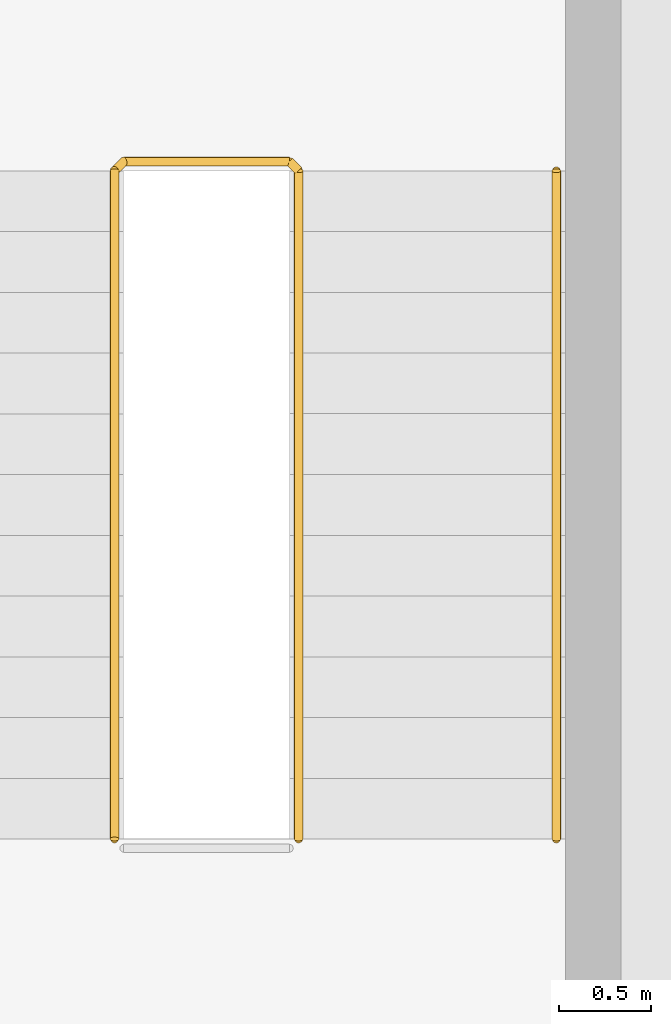
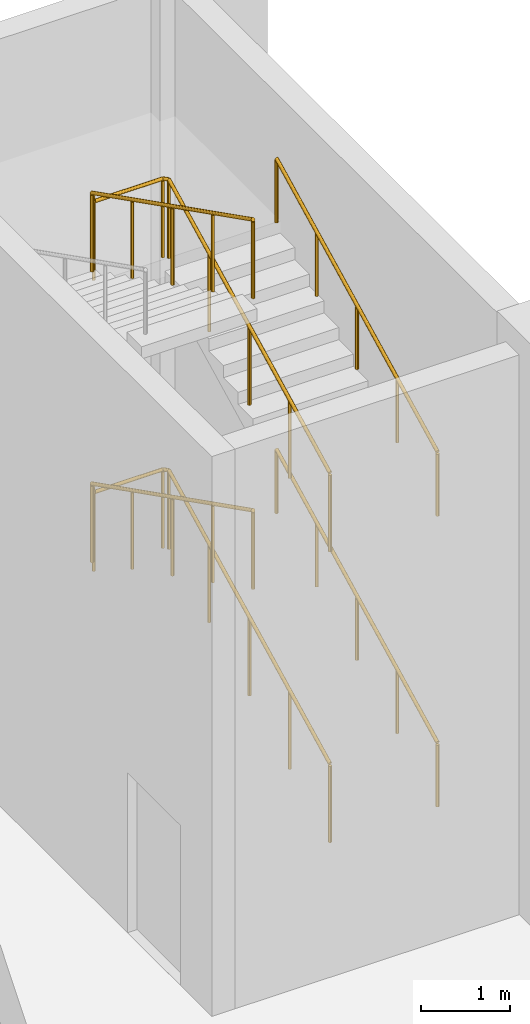
# One storey, part 19 of 19: 4 railings.
"""IFC4 building model written with IfcOpenShell, lengths in metres."""

from ifc_helpers import new_model, si_unit, direction, frame, origin, origin_2d, place, context, subcontext, project, spatial, circle, extrude, material, type_object, element, save


model = new_model("IFC4")

# Units and contexts
model_context = context("Model", 3, precision=1e-05, world=origin(), true_north=direction((0.0, 1.0)))
body_context = subcontext(model_context, "Body", "Model", "MODEL_VIEW")
ifc_project = project(units=[si_unit("LENGTHUNIT", "METRE"), si_unit("AREAUNIT", "SQUARE_METRE"), si_unit("VOLUMEUNIT", "CUBIC_METRE"), si_unit("PLANEANGLEUNIT", "RADIAN"), si_unit("MASSUNIT", "GRAM", prefix="KILO")], contexts=[model_context])

# Site, building, storey
site_placement = place(None, origin())
site = spatial("IfcSite", under=ifc_project, at=site_placement, CompositionType="ELEMENT")
building_placement = place(site_placement, origin())
building = spatial("IfcBuilding", under=site, at=building_placement, Name="Brondeck Convention Tower", CompositionType="ELEMENT")
storey_placement = place(building_placement, frame((0.0, 0.0, 19.5)))
storey = spatial("IfcBuildingStorey", under=building, at=storey_placement, Name="L03", CompositionType="ELEMENT", Elevation=19.5)

# Railings
ifc_material = material(Name="Steel S355", Category="steel")
railing_type_1 = type_object("IfcRailingType", Name="Stair guard 1100", PredefinedType="GUARDRAIL", material=ifc_material)
railing_1_placement = place(storey_placement, frame((70.050048828125, 51.800048828125, 0.166748046875)))
element("IfcRailing", 1, at=railing_1_placement, inside=storey, type_object=railing_type_1, Name="L03 PS-1 stair guard 1", PredefinedType="GUARDRAIL", context=body_context, shape_type="SweptSolid", body=[
    extrude(circle(Radius=0.02392578125, at=origin_2d()), frame((0.0, 0.0, 1.076171875), z_axis=(0.0, 0.892618850087, 0.450812143214), x_axis=(-1.0, 0.0, 0.0)), (0.0, 0.0, 1.0), 4.066650390625),
    extrude(circle(Radius=0.02392578125, at=origin_2d()), frame((0.0, 3.6298828125, 2.9091796875), z_axis=(-0.707106781187, 0.707106781187, 0.0), x_axis=(-0.707106781187, -0.707106781187, 0.0)), (0.0, 0.0, 1.0), 0.07080078125),
    extrude(circle(Radius=0.02392578125, at=origin_2d()), frame((-0.050048828125, 3.679931640625, 2.9091796875), z_axis=(-1.0, 0.0, 0.0), x_axis=(0.0, -1.0, 0.0)), (0.0, 0.0, 1.0), 0.89990234375),
    extrude(circle(Radius=0.02392578125, at=origin_2d()), frame((-0.949951171875, 3.679931640625, 2.9091796875), z_axis=(-0.27628659633, -0.27628659633, 0.920506074601), x_axis=(0.707106781187, -0.707106781187, 0.0)), (0.0, 0.0, 1.0), 0.18115234375),
    extrude(circle(Radius=0.02392578125, at=origin_2d()), frame((-1.0, 3.6298828125, 3.076171875), z_axis=(0.0, -0.892618850087, 0.450812143214), x_axis=(1.0, 0.0, 0.0)), (0.0, 0.0, 1.0), 4.066650390625),
    extrude(circle(Radius=0.02099609375, at=origin_2d()), origin(), (0.0, 0.0, 1.0), 1.052001953125),
    extrude(circle(Radius=0.02099609375, at=origin_2d()), frame((0.0, 0.907470703125, 0.458251953125)), (0.0, 0.0, 1.0), 1.052001953125),
    extrude(circle(Radius=0.02099609375, at=origin_2d()), frame((0.0, 1.81494140625, 0.91650390625)), (0.0, 0.0, 1.0), 1.052001953125),
    extrude(circle(Radius=0.02099609375, at=origin_2d()), frame((0.0, 2.722412109375, 1.375)), (0.0, 0.0, 1.0), 1.052001953125),
    extrude(circle(Radius=0.02099609375, at=origin_2d()), frame((0.0, 3.6298828125, 1.833251953125)), (0.0, 0.0, 1.0), 1.052001953125),
    extrude(circle(Radius=0.02099609375, at=origin_2d()), frame((-0.050048828125, 3.679931640625, 1.833251953125)), (0.0, 0.0, 1.0), 1.052001953125),
    extrude(circle(Radius=0.02099609375, at=origin_2d()), frame((-0.949951171875, 3.679931640625, 1.833251953125)), (0.0, 0.0, 1.0), 1.052001953125),
    extrude(circle(Radius=0.02099609375, at=origin_2d()), frame((-1.0, 3.6298828125, 2.0)), (0.0, 0.0, 1.0), 1.052001953125),
    extrude(circle(Radius=0.02099609375, at=origin_2d()), frame((-1.0, 2.722412109375, 2.458251953125)), (0.0, 0.0, 1.0), 1.052001953125),
    extrude(circle(Radius=0.02099609375, at=origin_2d()), frame((-1.0, 1.81494140625, 2.91650390625)), (0.0, 0.0, 1.0), 1.052001953125),
    extrude(circle(Radius=0.02099609375, at=origin_2d()), frame((-1.0, 0.907470703125, 3.375)), (0.0, 0.0, 1.0), 1.052001953125),
    extrude(circle(Radius=0.02099609375, at=origin_2d()), frame((-1.0, 0.0, 3.833251953125)), (0.0, 0.0, 1.0), 1.052001953125),
])
railing_2_placement = place(storey_placement, frame((70.050048828125, 51.800048828125, 4.166748046875)))
element("IfcRailing", 2, at=railing_2_placement, inside=storey, type_object=railing_type_1, Name="L03 PS-1 stair guard 3", PredefinedType="GUARDRAIL", context=body_context, shape_type="SweptSolid", body=[
    extrude(circle(Radius=0.02392578125, at=origin_2d()), frame((0.0, 0.0, 1.076171875), z_axis=(0.0, 0.892618850087, 0.450812143214), x_axis=(-1.0, 0.0, 0.0)), (0.0, 0.0, 1.0), 4.066650390625),
    extrude(circle(Radius=0.02392578125, at=origin_2d()), frame((0.0, 3.6298828125, 2.9091796875), z_axis=(-0.707106781187, 0.707106781187, 0.0), x_axis=(-0.707106781187, -0.707106781187, 0.0)), (0.0, 0.0, 1.0), 0.07080078125),
    extrude(circle(Radius=0.02392578125, at=origin_2d()), frame((-0.050048828125, 3.679931640625, 2.9091796875), z_axis=(-1.0, 0.0, 0.0), x_axis=(0.0, -1.0, 0.0)), (0.0, 0.0, 1.0), 0.89990234375),
    extrude(circle(Radius=0.02392578125, at=origin_2d()), frame((-0.949951171875, 3.679931640625, 2.9091796875), z_axis=(-0.27628659633, -0.27628659633, 0.920506074601), x_axis=(0.707106781187, -0.707106781187, 0.0)), (0.0, 0.0, 1.0), 0.18115234375),
    extrude(circle(Radius=0.02392578125, at=origin_2d()), frame((-1.0, 3.6298828125, 3.076171875), z_axis=(0.0, -0.892618850087, 0.450812143214), x_axis=(1.0, 0.0, 0.0)), (0.0, 0.0, 1.0), 4.066650390625),
    extrude(circle(Radius=0.02099609375, at=origin_2d()), origin(), (0.0, 0.0, 1.0), 1.052001953125),
    extrude(circle(Radius=0.02099609375, at=origin_2d()), frame((0.0, 0.907470703125, 0.458251953125)), (0.0, 0.0, 1.0), 1.052001953125),
    extrude(circle(Radius=0.02099609375, at=origin_2d()), frame((0.0, 1.81494140625, 0.91650390625)), (0.0, 0.0, 1.0), 1.052001953125),
    extrude(circle(Radius=0.02099609375, at=origin_2d()), frame((0.0, 2.722412109375, 1.375)), (0.0, 0.0, 1.0), 1.052001953125),
    extrude(circle(Radius=0.02099609375, at=origin_2d()), frame((0.0, 3.6298828125, 1.833251953125)), (0.0, 0.0, 1.0), 1.052001953125),
    extrude(circle(Radius=0.02099609375, at=origin_2d()), frame((-0.050048828125, 3.679931640625, 1.833251953125)), (0.0, 0.0, 1.0), 1.052001953125),
    extrude(circle(Radius=0.02099609375, at=origin_2d()), frame((-0.949951171875, 3.679931640625, 1.833251953125)), (0.0, 0.0, 1.0), 1.052001953125),
    extrude(circle(Radius=0.02099609375, at=origin_2d()), frame((-1.0, 3.6298828125, 2.0)), (0.0, 0.0, 1.0), 1.052001953125),
    extrude(circle(Radius=0.02099609375, at=origin_2d()), frame((-1.0, 2.722412109375, 2.458251953125)), (0.0, 0.0, 1.0), 1.052001953125),
    extrude(circle(Radius=0.02099609375, at=origin_2d()), frame((-1.0, 1.81494140625, 2.91650390625)), (0.0, 0.0, 1.0), 1.052001953125),
    extrude(circle(Radius=0.02099609375, at=origin_2d()), frame((-1.0, 0.907470703125, 3.375)), (0.0, 0.0, 1.0), 1.052001953125),
    extrude(circle(Radius=0.02099609375, at=origin_2d()), frame((-1.0, 0.0, 3.833251953125)), (0.0, 0.0, 1.0), 1.052001953125),
])
railing_type_2 = type_object("IfcRailingType", Name="Stair handrail", PredefinedType="HANDRAIL", material=ifc_material)
for number, where, name in (
    (3, (71.449951171875, 51.800048828125, 0.166748046875), "L03 PS-1 stair handrail 1"),
    (4, (71.449951171875, 51.800048828125, 4.166748046875), "L03 PS-1 stair handrail 3"),
):
    element("IfcRailing", number, at=place(storey_placement, frame(where)), inside=storey, type_object=railing_type_2, Name=name, PredefinedType="HANDRAIL", context=body_context, shape_type="SweptSolid", body=[
        extrude(circle(Radius=0.02392578125, at=origin_2d()), frame((0.0, 0.0, 0.8759765625), z_axis=(0.0, 0.892618850087, 0.450812143214), x_axis=(-1.0, 0.0, 0.0)), (0.0, 0.0, 1.0), 4.066650390625),
        extrude(circle(Radius=0.02099609375, at=origin_2d()), origin(), (0.0, 0.0, 1.0), 0.851806640625),
        extrude(circle(Radius=0.02099609375, at=origin_2d()), frame((0.0, 0.907470703125, 0.458251953125)), (0.0, 0.0, 1.0), 0.851806640625),
        extrude(circle(Radius=0.02099609375, at=origin_2d()), frame((0.0, 1.81494140625, 0.91650390625)), (0.0, 0.0, 1.0), 0.851806640625),
        extrude(circle(Radius=0.02099609375, at=origin_2d()), frame((0.0, 2.722412109375, 1.375)), (0.0, 0.0, 1.0), 0.851806640625),
        extrude(circle(Radius=0.02099609375, at=origin_2d()), frame((0.0, 3.6298828125, 1.833251953125)), (0.0, 0.0, 1.0), 0.851806640625),
    ])

save(model, "model.ifc")
